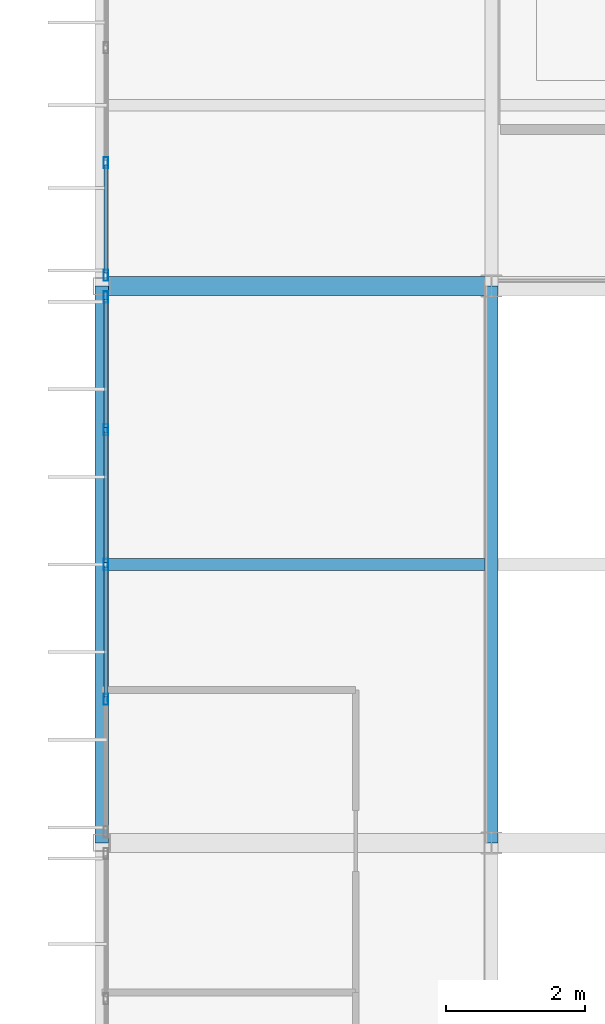
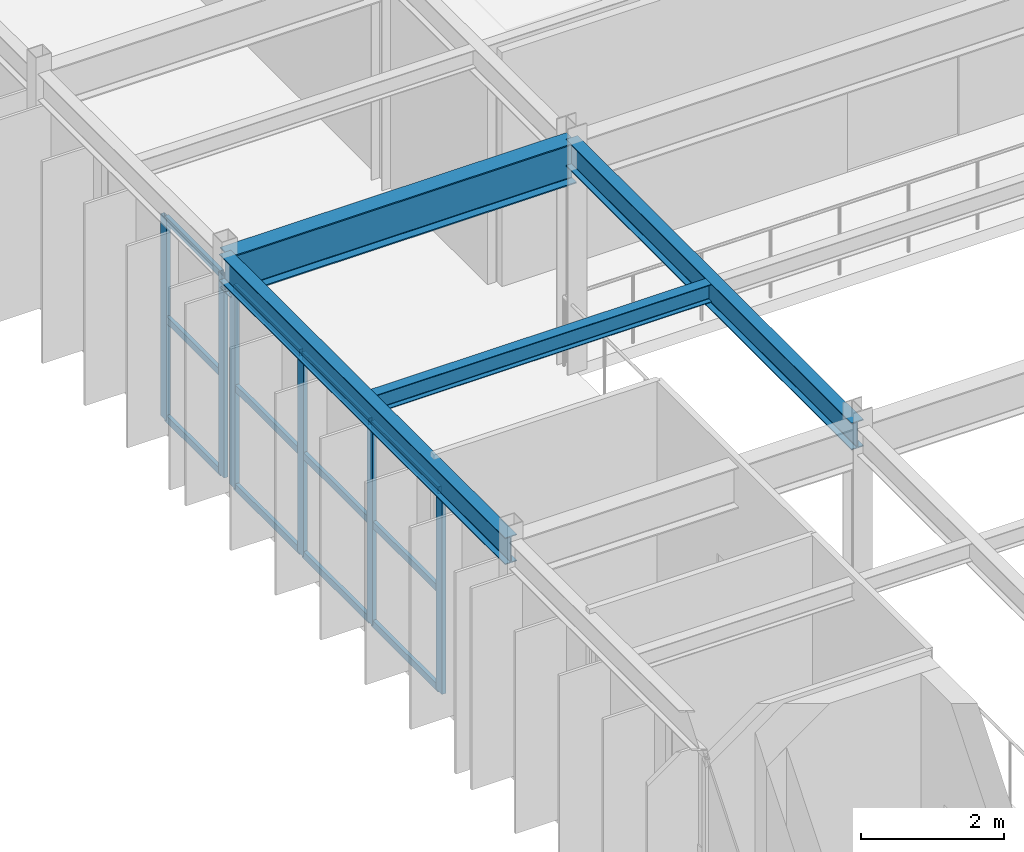
# One storey, part 36 of 147: 18 members, 4 beams, 2 elements without a shape of their own.
"""IFC4 building model written with IfcOpenShell, lengths in metres."""

from ifc_helpers import new_model, si_unit, direction, frame, origin, origin_2d, place, context, subcontext, project, spatial, hollow_rectangle, i_section, extrude, material, material_profile, profile_set, type_object, element, aggregate, save


model = new_model("IFC4")

# Units and contexts
model_context = context("Model", 3, precision=1e-05, world=origin(), true_north=direction((0.0, 1.0)))
body_context = subcontext(model_context, "Body", "Model", "MODEL_VIEW")
ifc_project = project(units=[si_unit("LENGTHUNIT", "METRE"), si_unit("AREAUNIT", "SQUARE_METRE"), si_unit("VOLUMEUNIT", "CUBIC_METRE"), si_unit("PLANEANGLEUNIT", "RADIAN"), si_unit("MASSUNIT", "GRAM", prefix="KILO")], contexts=[model_context])

# Site, building, storey
site_placement = place(None, origin())
site = spatial("IfcSite", under=ifc_project, at=site_placement, CompositionType="ELEMENT")
building_placement = place(site_placement, origin())
building = spatial("IfcBuilding", under=site, at=building_placement, Name="Karori Crest Natural Sciences Institute", CompositionType="ELEMENT")
storey_placement = place(building_placement, frame((0.0, 0.0, 9.10009765625)))
storey = spatial("IfcBuildingStorey", under=building, at=storey_placement, Name="L02", CompositionType="ELEMENT", Elevation=9.10009765625)

# Beams
ifc_material_1 = material(Name="Structural steel AS/NZS 3679.1 Grade 350", Category="steel")
ifc_material_profile_1 = material_profile(ifc_material_1, i_section(OverallWidth=0.27490234375, OverallDepth=0.699951171875, WebThickness=0.010009765625, FlangeThickness=0.02001953125, FilletRadius=0.013916015625, at=origin_2d()), Name="700WB150")
ifc_profile_set_1 = profile_set([ifc_material_profile_1], Name="Structural steel AS/NZS 3679.1 Grade 350")
beam_type_1 = type_object("IfcBeamType", Name="BT-03", PredefinedType="BEAM", material=ifc_profile_set_1)
beam_1_placement = place(storey_placement, frame((1.800048828125, 55.0, 3.56982421875), z_axis=(1.0, 0.0, 0.0), x_axis=(0.0, 1.0, 0.0)))
element("IfcBeam", 1, at=beam_1_placement, inside=storey, type_object=beam_type_1, Name="Beam B-1085", PredefinedType="BEAM", context=body_context, shape_type="SweptSolid", body=[
    extrude(i_section(OverallWidth=0.27490234375, OverallDepth=0.699951171875, WebThickness=0.010009765625, FlangeThickness=0.02001953125, FilletRadius=0.013916015625, at=origin_2d()), origin(), (0.0, 0.0, 1.0), 5.599853515625),
])
ifc_material_profile_2 = material_profile(ifc_material_1, i_section(OverallWidth=0.19091796875, OverallDepth=0.4599609375, WebThickness=0.010009765625, FlangeThickness=0.01611328125, FilletRadius=0.010986328125, at=origin_2d()), Name="460UB82.1")
ifc_profile_set_2 = profile_set([ifc_material_profile_2], Name="Structural steel AS/NZS 3679.1 Grade 350")
beam_type_2 = type_object("IfcBeamType", Name="BT-06", PredefinedType="BEAM", material=ifc_profile_set_2)
beam_2_placement = place(storey_placement, frame((7.39990234375, 47.0, 3.68994140625), z_axis=(0.0, 1.0, 0.0), x_axis=(-1.0, 0.0, 0.0)))
element("IfcBeam", 2, at=beam_2_placement, inside=storey, type_object=beam_type_2, Name="Beam B-1106", PredefinedType="BEAM", context=body_context, shape_type="SweptSolid", body=[
    extrude(i_section(OverallWidth=0.19091796875, OverallDepth=0.4599609375, WebThickness=0.010009765625, FlangeThickness=0.01611328125, FilletRadius=0.010986328125, at=origin_2d()), origin(), (0.0, 0.0, 1.0), 8.0),
])
ifc_material_profile_3 = material_profile(ifc_material_1, i_section(OverallWidth=0.19091796875, OverallDepth=0.4599609375, WebThickness=0.010009765625, FlangeThickness=0.01611328125, FilletRadius=0.010986328125, at=origin_2d()), Name="460UB82.1")
ifc_profile_set_3 = profile_set([ifc_material_profile_3], Name="Structural steel AS/NZS 3679.1 Grade 350")
beam_type_3 = type_object("IfcBeamType", Name="BT-06-EL", PredefinedType="BEAM", material=ifc_profile_set_3)
beam_3_placement = place(storey_placement, frame((1.800048828125, 47.0, 3.68994140625), z_axis=(0.0, 1.0, 0.0), x_axis=(-1.0, 0.0, 0.0)))
element("IfcBeam", 3, at=beam_3_placement, inside=storey, type_object=beam_type_3, Name="Beam B-1099", PredefinedType="BEAM", context=body_context, shape_type="SweptSolid", body=[
    extrude(i_section(OverallWidth=0.19091796875, OverallDepth=0.4599609375, WebThickness=0.010009765625, FlangeThickness=0.01611328125, FilletRadius=0.010986328125, at=origin_2d()), origin(), (0.0, 0.0, 1.0), 8.0),
])
ifc_material_profile_4 = material_profile(ifc_material_1, i_section(OverallWidth=0.166015625, OverallDepth=0.306884765625, WebThickness=0.006591796875, FlangeThickness=0.01171875, FilletRadius=0.010986328125, at=origin_2d()), Name="310UB46.2")
ifc_profile_set_4 = profile_set([ifc_material_profile_4], Name="Structural steel AS/NZS 3679.1 Grade 350")
beam_type_4 = type_object("IfcBeamType", Name="BT-09", PredefinedType="BEAM", material=ifc_profile_set_4)
beam_4_placement = place(storey_placement, frame((1.8955078125, 51.0, 3.766357421875), z_axis=(1.0, 0.0, 0.0), x_axis=(0.0, 1.0, 0.0)))
element("IfcBeam", 4, at=beam_4_placement, inside=storey, type_object=beam_type_4, Name="Beam B-1125", PredefinedType="BEAM", context=body_context, shape_type="SweptSolid", body=[
    extrude(i_section(OverallWidth=0.166015625, OverallDepth=0.306884765625, WebThickness=0.006591796875, FlangeThickness=0.01171875, FilletRadius=0.010986328125, at=origin_2d()), origin(), (0.0, 0.0, 1.0), 5.408935546875),
])

# Curtain wall, members
ifc_material_2 = material(Name="Anodised architectural aluminium 6063-T6", Category="aluminium")
curtain_wall_type = type_object("IfcCurtainWallType", Name="CWT-17", PredefinedType="NOTDEFINED", material=ifc_material_2)
curtain_wall_1_placement = place(storey_placement, origin())
curtain_wall_1 = element("IfcCurtainWall", 5, at=curtain_wall_1_placement, inside=storey, type_object=curtain_wall_type, Name="Curtain wall CW-0271", PredefinedType="NOTDEFINED")
ifc_material_profile_5 = material_profile(ifc_material_2, hollow_rectangle(XDim=0.06494140625, YDim=0.159912109375, WallThickness=0.00390625, at=origin_2d()), Name="CWM160x65x4")
ifc_profile_set_5 = profile_set([ifc_material_profile_5], Name="Anodised architectural aluminium 6063-T6")
member_type_1 = type_object("IfcMemberType", Name="CWM-01", PredefinedType="MULLION", material=ifc_profile_set_5)
member_1_placement = place(storey_placement, frame((1.860107421875, 49.0615234375, 0.0), z_axis=(0.0, 0.0, 1.0), x_axis=(-1.0, 0.0, 0.0)))
member_1 = element("IfcMember", 6, at=member_1_placement, type_object=member_type_1, Name="CW-0271 mullion 2", PredefinedType="MULLION", context=body_context, shape_type="SweptSolid", body=[
    extrude(hollow_rectangle(XDim=0.06494140625, YDim=0.159912109375, WallThickness=0.00390625, at=origin_2d()), origin(), (0.0, 0.0, 1.0), 3.44482421875),
])
member_2_placement = place(storey_placement, frame((1.860107421875, 51.0, 0.0), z_axis=(0.0, 0.0, 1.0), x_axis=(-1.0, 0.0, 0.0)))
member_2 = element("IfcMember", 7, at=member_2_placement, type_object=member_type_1, Name="CW-0271 mullion 3", PredefinedType="MULLION", context=body_context, shape_type="SweptSolid", body=[
    extrude(hollow_rectangle(XDim=0.06494140625, YDim=0.159912109375, WallThickness=0.00390625, at=origin_2d()), origin(), (0.0, 0.0, 1.0), 3.44482421875),
])
member_3_placement = place(storey_placement, frame((1.860107421875, 52.9384765625, 0.0), z_axis=(0.0, 0.0, 1.0), x_axis=(-1.0, 0.0, 0.0)))
member_3 = element("IfcMember", 8, at=member_3_placement, type_object=member_type_1, Name="CW-0271 mullion 4", PredefinedType="MULLION", context=body_context, shape_type="SweptSolid", body=[
    extrude(hollow_rectangle(XDim=0.06494140625, YDim=0.159912109375, WallThickness=0.00390625, at=origin_2d()), origin(), (0.0, 0.0, 1.0), 3.44482421875),
])
member_4_placement = place(storey_placement, frame((1.860107421875, 54.844482421875, 0.0), z_axis=(0.0, 0.0, 1.0), x_axis=(-1.0, 0.0, 0.0)))
member_4 = element("IfcMember", 9, at=member_4_placement, type_object=member_type_1, Name="CW-0271 mullion 5", PredefinedType="MULLION", context=body_context, shape_type="SweptSolid", body=[
    extrude(hollow_rectangle(XDim=0.06494140625, YDim=0.159912109375, WallThickness=0.00390625, at=origin_2d()), origin(), (0.0, 0.0, 1.0), 3.44482421875),
])

curtain_wall_2_placement = place(storey_placement, origin())
curtain_wall_2 = element("IfcCurtainWall", 10, at=curtain_wall_2_placement, inside=storey, type_object=curtain_wall_type, Name="Curtain wall CW-0272", PredefinedType="NOTDEFINED")
member_5_placement = place(storey_placement, frame((1.860107421875, 55.155517578125, 0.0), z_axis=(0.0, 0.0, 1.0), x_axis=(-1.0, 0.0, 0.0)))
member_5 = element("IfcMember", 11, at=member_5_placement, type_object=member_type_1, Name="CW-0272 mullion 1", PredefinedType="MULLION", context=body_context, shape_type="SweptSolid", body=[
    extrude(hollow_rectangle(XDim=0.06494140625, YDim=0.159912109375, WallThickness=0.00390625, at=origin_2d()), origin(), (0.0, 0.0, 1.0), 3.44482421875),
])
member_6_placement = place(storey_placement, frame((1.860107421875, 56.7744140625, 0.0), z_axis=(0.0, 0.0, 1.0), x_axis=(-1.0, 0.0, 0.0)))
member_6 = element("IfcMember", 12, at=member_6_placement, type_object=member_type_1, Name="CW-0272 mullion 2", PredefinedType="MULLION", context=body_context, shape_type="SweptSolid", body=[
    extrude(hollow_rectangle(XDim=0.06494140625, YDim=0.159912109375, WallThickness=0.00390625, at=origin_2d()), origin(), (0.0, 0.0, 1.0), 3.44482421875),
])

# Member
ifc_material_profile_6 = material_profile(ifc_material_2, hollow_rectangle(XDim=0.06005859375, YDim=0.1201171875, WallThickness=0.00390625, at=origin_2d()), Name="CWT120x60x4")
ifc_profile_set_6 = profile_set([ifc_material_profile_6], Name="Anodised architectural aluminium 6063-T6")
member_type_2 = type_object("IfcMemberType", Name="CWT-TR1", PredefinedType="USERDEFINED", material=ifc_profile_set_6)
member_7_placement = place(storey_placement, frame((1.860107421875, 49.093994140625, 0.02978515625), z_axis=(0.0, 1.0, 0.0), x_axis=(-1.0, 0.0, 0.0)))
member_7 = element("IfcMember", 13, at=member_7_placement, type_object=member_type_2, Name="CW-0271 transom 2.1", ObjectType="TRANSOM", PredefinedType="USERDEFINED", context=body_context, shape_type="SweptSolid", body=[
    extrude(hollow_rectangle(XDim=0.06005859375, YDim=0.1201171875, WallThickness=0.00390625, at=origin_2d()), origin(), (0.0, 0.0, 1.0), 1.87353515625),
])

member_8_placement = place(storey_placement, frame((1.860107421875, 49.093994140625, 1.722412109375), z_axis=(0.0, 1.0, 0.0), x_axis=(-1.0, 0.0, 0.0)))
member_8 = element("IfcMember", 14, at=member_8_placement, type_object=member_type_2, Name="CW-0271 transom 2.2", ObjectType="TRANSOM", PredefinedType="USERDEFINED", context=body_context, shape_type="SweptSolid", body=[
    extrude(hollow_rectangle(XDim=0.06005859375, YDim=0.1201171875, WallThickness=0.00390625, at=origin_2d()), origin(), (0.0, 0.0, 1.0), 1.87353515625),
])

member_9_placement = place(storey_placement, frame((1.860107421875, 49.093994140625, 3.414794921875), z_axis=(0.0, 1.0, 0.0), x_axis=(-1.0, 0.0, 0.0)))
member_9 = element("IfcMember", 15, at=member_9_placement, type_object=member_type_2, Name="CW-0271 transom 2.3", ObjectType="TRANSOM", PredefinedType="USERDEFINED", context=body_context, shape_type="SweptSolid", body=[
    extrude(hollow_rectangle(XDim=0.06005859375, YDim=0.1201171875, WallThickness=0.00390625, at=origin_2d()), origin(), (0.0, 0.0, 1.0), 1.87353515625),
])

member_10_placement = place(storey_placement, frame((1.860107421875, 51.032470703125, 0.02978515625), z_axis=(0.0, 1.0, 0.0), x_axis=(-1.0, 0.0, 0.0)))
member_10 = element("IfcMember", 16, at=member_10_placement, type_object=member_type_2, Name="CW-0271 transom 3.1", ObjectType="TRANSOM", PredefinedType="USERDEFINED", context=body_context, shape_type="SweptSolid", body=[
    extrude(hollow_rectangle(XDim=0.06005859375, YDim=0.1201171875, WallThickness=0.00390625, at=origin_2d()), origin(), (0.0, 0.0, 1.0), 1.87353515625),
])

member_11_placement = place(storey_placement, frame((1.860107421875, 51.032470703125, 1.722412109375), z_axis=(0.0, 1.0, 0.0), x_axis=(-1.0, 0.0, 0.0)))
member_11 = element("IfcMember", 17, at=member_11_placement, type_object=member_type_2, Name="CW-0271 transom 3.2", ObjectType="TRANSOM", PredefinedType="USERDEFINED", context=body_context, shape_type="SweptSolid", body=[
    extrude(hollow_rectangle(XDim=0.06005859375, YDim=0.1201171875, WallThickness=0.00390625, at=origin_2d()), origin(), (0.0, 0.0, 1.0), 1.87353515625),
])

member_12_placement = place(storey_placement, frame((1.860107421875, 51.032470703125, 3.414794921875), z_axis=(0.0, 1.0, 0.0), x_axis=(-1.0, 0.0, 0.0)))
member_12 = element("IfcMember", 18, at=member_12_placement, type_object=member_type_2, Name="CW-0271 transom 3.3", ObjectType="TRANSOM", PredefinedType="USERDEFINED", context=body_context, shape_type="SweptSolid", body=[
    extrude(hollow_rectangle(XDim=0.06005859375, YDim=0.1201171875, WallThickness=0.00390625, at=origin_2d()), origin(), (0.0, 0.0, 1.0), 1.87353515625),
])

member_13_placement = place(storey_placement, frame((1.860107421875, 52.970947265625, 0.02978515625), z_axis=(0.0, 1.0, 0.0), x_axis=(-1.0, 0.0, 0.0)))
member_13 = element("IfcMember", 19, at=member_13_placement, type_object=member_type_2, Name="CW-0271 transom 4.1", ObjectType="TRANSOM", PredefinedType="USERDEFINED", context=body_context, shape_type="SweptSolid", body=[
    extrude(hollow_rectangle(XDim=0.06005859375, YDim=0.1201171875, WallThickness=0.00390625, at=origin_2d()), origin(), (0.0, 0.0, 1.0), 1.841064453125),
])

member_14_placement = place(storey_placement, frame((1.860107421875, 52.970947265625, 1.722412109375), z_axis=(0.0, 1.0, 0.0), x_axis=(-1.0, 0.0, 0.0)))
member_14 = element("IfcMember", 20, at=member_14_placement, type_object=member_type_2, Name="CW-0271 transom 4.2", ObjectType="TRANSOM", PredefinedType="USERDEFINED", context=body_context, shape_type="SweptSolid", body=[
    extrude(hollow_rectangle(XDim=0.06005859375, YDim=0.1201171875, WallThickness=0.00390625, at=origin_2d()), origin(), (0.0, 0.0, 1.0), 1.841064453125),
])

member_15_placement = place(storey_placement, frame((1.860107421875, 52.970947265625, 3.414794921875), z_axis=(0.0, 1.0, 0.0), x_axis=(-1.0, 0.0, 0.0)))
member_15 = element("IfcMember", 21, at=member_15_placement, type_object=member_type_2, Name="CW-0271 transom 4.3", ObjectType="TRANSOM", PredefinedType="USERDEFINED", context=body_context, shape_type="SweptSolid", body=[
    extrude(hollow_rectangle(XDim=0.06005859375, YDim=0.1201171875, WallThickness=0.00390625, at=origin_2d()), origin(), (0.0, 0.0, 1.0), 1.841064453125),
])

aggregate(curtain_wall_1, [member_1, member_2, member_3, member_4, member_7, member_8, member_9, member_10, member_11, member_12, member_13, member_14, member_15])

member_16_placement = place(storey_placement, frame((1.860107421875, 55.18798828125, 0.02978515625), z_axis=(0.0, 1.0, 0.0), x_axis=(-1.0, 0.0, 0.0)))
member_16 = element("IfcMember", 22, at=member_16_placement, type_object=member_type_2, Name="CW-0272 transom 1.1", ObjectType="TRANSOM", PredefinedType="USERDEFINED", context=body_context, shape_type="SweptSolid", body=[
    extrude(hollow_rectangle(XDim=0.06005859375, YDim=0.1201171875, WallThickness=0.00390625, at=origin_2d()), origin(), (0.0, 0.0, 1.0), 1.553955078125),
])

member_17_placement = place(storey_placement, frame((1.860107421875, 55.18798828125, 1.722412109375), z_axis=(0.0, 1.0, 0.0), x_axis=(-1.0, 0.0, 0.0)))
member_17 = element("IfcMember", 23, at=member_17_placement, type_object=member_type_2, Name="CW-0272 transom 1.2", ObjectType="TRANSOM", PredefinedType="USERDEFINED", context=body_context, shape_type="SweptSolid", body=[
    extrude(hollow_rectangle(XDim=0.06005859375, YDim=0.1201171875, WallThickness=0.00390625, at=origin_2d()), origin(), (0.0, 0.0, 1.0), 1.553955078125),
])

member_18_placement = place(storey_placement, frame((1.860107421875, 55.18798828125, 3.414794921875), z_axis=(0.0, 1.0, 0.0), x_axis=(-1.0, 0.0, 0.0)))
member_18 = element("IfcMember", 24, at=member_18_placement, type_object=member_type_2, Name="CW-0272 transom 1.3", ObjectType="TRANSOM", PredefinedType="USERDEFINED", context=body_context, shape_type="SweptSolid", body=[
    extrude(hollow_rectangle(XDim=0.06005859375, YDim=0.1201171875, WallThickness=0.00390625, at=origin_2d()), origin(), (0.0, 0.0, 1.0), 1.553955078125),
])

aggregate(curtain_wall_2, [member_5, member_6, member_16, member_17, member_18])

save(model, "model.ifc")
